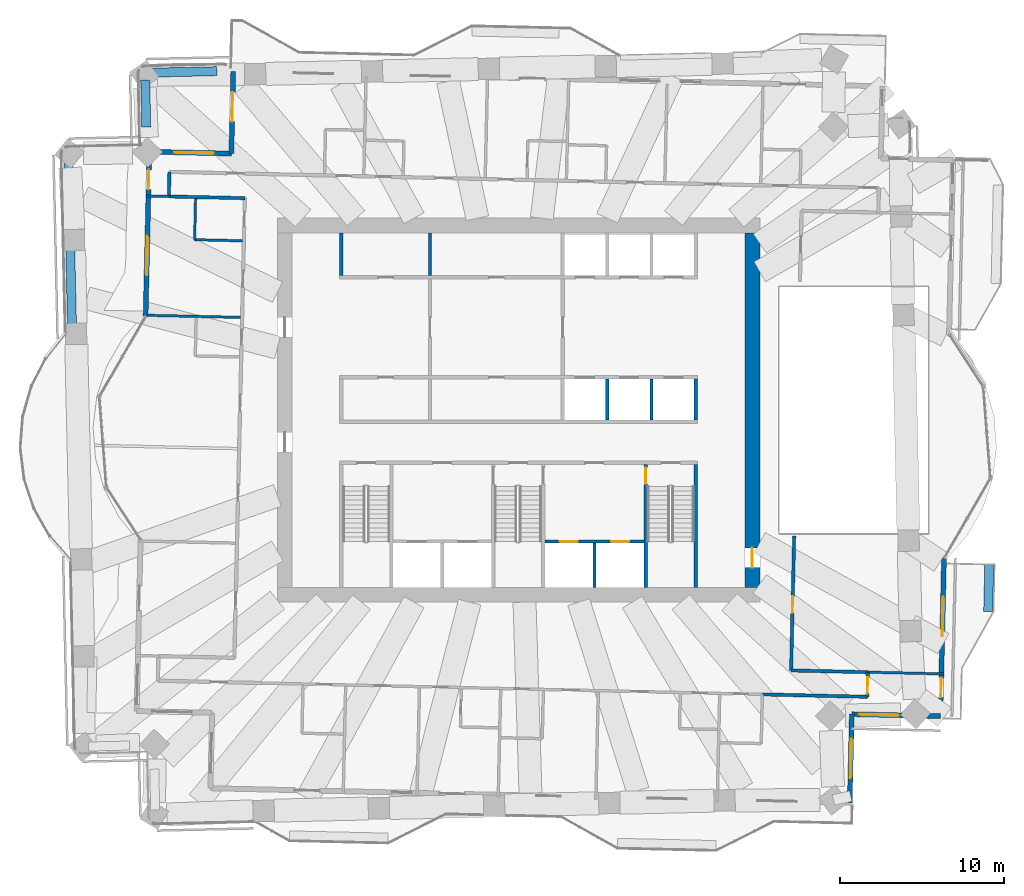
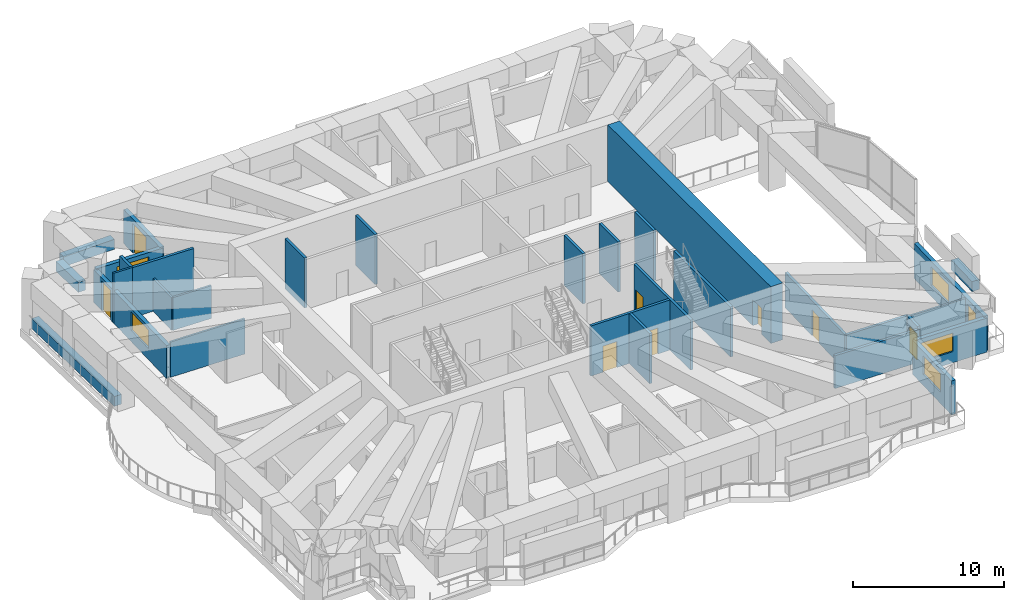
# One storey, part 10 of 17: 31 walls, 9 doors, 5 windows, 14 openings.
"""IFC4 building model written with IfcOpenShell, lengths in metres."""

from ifc_helpers import new_model, si_unit, direction, frame, frame_2d, origin, place, context, subcontext, project, spatial, rectangle, extrude, material, layer, layer_set, type_object, element, fill, save


model = new_model("IFC4")

# Units and contexts
model_context = context("Model", 3, precision=1e-05, world=origin(), true_north=direction((0.0, 1.0)))
body_context = subcontext(model_context, "Body", "Model", "MODEL_VIEW")
ifc_project = project(units=[si_unit("LENGTHUNIT", "METRE"), si_unit("AREAUNIT", "SQUARE_METRE"), si_unit("VOLUMEUNIT", "CUBIC_METRE"), si_unit("PLANEANGLEUNIT", "RADIAN"), si_unit("MASSUNIT", "GRAM", prefix="KILO")], contexts=[model_context])

# Site, building, storey
site_placement = place(None, origin())
site = spatial("IfcSite", under=ifc_project, at=site_placement, CompositionType="ELEMENT")
building_placement = place(site_placement, origin())
building = spatial("IfcBuilding", under=site, at=building_placement, Name="Mangrove Gate Tower", CompositionType="ELEMENT")
storey_placement = place(building_placement, frame((0.0, 0.0, 148.10009765625)))
storey = spatial("IfcBuildingStorey", under=building, at=storey_placement, Name="L37", CompositionType="ELEMENT", Elevation=148.10009765625)

# Walls
ifc_material_1 = material(Name="Concrete C32/40", Category="concrete")
ifc_layer_1 = layer(ifc_material_1, 0.199951171875)
ifc_layer_set_1 = layer_set([ifc_layer_1], Name="Core room wall 200 C32/40")
wall_type_1 = type_object("IfcWallType", Name="Core room wall 200 C32/40", PredefinedType="STANDARD", material=ifc_layer_set_1)
for number, where, z_axis, x_axis, name in (
    (1, (-10.800048828125, 8.199951171875, 0.0), (0.0, 0.0, 1.0), (0.0, 1.0, 0.0), "WALL-L37-CORE-25"),
    (2, (-5.39990234375, 8.199951171875, 0.0), (0.0, 0.0, 1.0), (0.0, 1.0, 0.0), "WALL-L37-CORE-26"),
):
    element("IfcWall", number, at=place(storey_placement, frame(where, z_axis=z_axis, x_axis=x_axis)), inside=storey, type_object=wall_type_1, Name=name, PredefinedType="STANDARD", context=body_context, shape_type="SweptSolid", body=[
        extrude(rectangle(XDim=2.60009765625, YDim=0.199951171875, at=frame_2d((1.300048828125, 0.0))), origin(), (0.0, 0.0, 1.0), 4.0498046875),
    ])

# Wall, openings, doors
ifc_material_2 = material(Name="Concrete C60/75", Category="concrete")
ifc_layer_2 = layer(ifc_material_2, 0.199951171875)
ifc_layer_set_2 = layer_set([ifc_layer_2], Name="Core shaft wall 200 C60/75")
wall_type_2 = type_object("IfcWallType", Name="Core shaft wall 200 C60/75", PredefinedType="SHEAR", material=ifc_layer_set_2)
wall_1_placement = place(storey_placement, frame((1.60009765625, -8.0, 0.0), z_axis=(0.0, 0.0, 1.0), x_axis=(1.0, 0.0, 0.0)))
wall_1 = element("IfcWall", 3, at=wall_1_placement, inside=storey, type_object=wall_type_2, Name="WALL-L37-CORE-17", PredefinedType="SHEAR", context=body_context, shape_type="SweptSolid", body=[
    extrude(rectangle(XDim=6.0498046875, YDim=0.199951171875, at=frame_2d((3.02490234375, 0.0))), origin(), (0.0, 0.0, 1.0), 4.0498046875),
])
opening_1_placement = place(wall_1_placement, frame((0.91259765625, 0.0, 0.0)))
opening_1 = element("IfcOpeningElement", 4, at=opening_1_placement, cuts=wall_1, Name="Opening LD", PredefinedType="OPENING", context=body_context, shape_type="SweptSolid", body=[
    extrude(rectangle(XDim=1.10009765625, YDim=2.10009765625, at=frame_2d((0.550048828125, 1.050048828125))), frame((0.0, 0.10986328125, 0.0), z_axis=(0.0, -1.0, 0.0), x_axis=(1.0, 0.0, 0.0)), (0.0, 0.0, 1.0), 0.219970703125),
])
opening_2_placement = place(wall_1_placement, frame((4.03759765625, 0.0, 0.0)))
opening_2 = element("IfcOpeningElement", 5, at=opening_2_placement, cuts=wall_1, Name="Opening LD", PredefinedType="OPENING", context=body_context, shape_type="SweptSolid", body=[
    extrude(rectangle(XDim=1.10009765625, YDim=2.10009765625, at=frame_2d((0.550048828125, 1.050048828125))), frame((0.0, 0.10986328125, 0.0), z_axis=(0.0, -1.0, 0.0), x_axis=(1.0, 0.0, 0.0)), (0.0, 0.0, 1.0), 0.219970703125),
])
ifc_material_3 = material(Name="Stainless steel 316", Category="steel")
door_type_1 = type_object("IfcDoorType", Name="Lift landing door 1100x2100", OperationType="SLIDING_TO_LEFT", PredefinedType="DOOR", material=ifc_material_3)
door_1_placement = place(opening_1_placement, origin())
door_1 = element("IfcDoor", 6, at=door_1_placement, inside=storey, type_object=door_type_1, Name="Landing door LD FFL1", OperationType="SLIDING_TO_LEFT", OverallHeight=2.10009765625, OverallWidth=1.10009765625, PredefinedType="DOOR", context=body_context, shape_type="SweptSolid", body=[
    extrude(rectangle(XDim=1.10009765625, YDim=2.10009765625, at=frame_2d((0.550048828125, 1.050048828125))), frame((0.0, 0.02490234375, 0.0), z_axis=(0.0, -1.0, 0.0), x_axis=(1.0, 0.0, 0.0)), (0.0, 0.0, 1.0), 0.050048828125),
])
fill(opening_1, door_1)
door_2_placement = place(opening_2_placement, origin())
door_2 = element("IfcDoor", 7, at=door_2_placement, inside=storey, type_object=door_type_1, Name="Landing door LD FFL2", OperationType="SLIDING_TO_LEFT", OverallHeight=2.10009765625, OverallWidth=1.10009765625, PredefinedType="DOOR", context=body_context, shape_type="SweptSolid", body=[
    extrude(rectangle(XDim=1.10009765625, YDim=2.10009765625, at=frame_2d((0.550048828125, 1.050048828125))), frame((0.0, 0.02490234375, 0.0), z_axis=(0.0, -1.0, 0.0), x_axis=(1.0, 0.0, 0.0)), (0.0, 0.0, 1.0), 0.050048828125),
])
fill(opening_2, door_2)

# Walls
wall_2_placement = place(storey_placement, frame((4.625, -10.800048828125, 0.0), z_axis=(0.0, 0.0, 1.0), x_axis=(0.0, 1.0, 0.0)))
element("IfcWall", 8, at=wall_2_placement, inside=storey, type_object=wall_type_2, Name="WALL-L37-CORE-18", PredefinedType="SHEAR", context=body_context, shape_type="SweptSolid", body=[
    extrude(rectangle(XDim=2.699951171875, YDim=0.199951171875, at=frame_2d((1.35009765625, 0.0))), origin(), (0.0, 0.0, 1.0), 4.0498046875),
])
for number, where, z_axis, x_axis, name in (
    (9, (5.39990234375, -0.60009765625, 0.0), (0.0, 0.0, 1.0), (0.0, 1.0, 0.0), "WALL-L37-CORE-22"),
    (10, (8.10009765625, -0.60009765625, 0.0), (0.0, 0.0, 1.0), (0.0, 1.0, 0.0), "WALL-L37-CORE-23"),
    (11, (10.800048828125, -0.60009765625, 0.0), (0.0, 0.0, 1.0), (0.0, 1.0, 0.0), "WALL-L37-CORE-24"),
):
    element("IfcWall", number, at=place(storey_placement, frame(where, z_axis=z_axis, x_axis=x_axis)), inside=storey, type_object=wall_type_2, Name=name, PredefinedType="SHEAR", context=body_context, shape_type="SweptSolid", body=[
        extrude(rectangle(XDim=2.5, YDim=0.199951171875, at=frame_2d((1.25, 0.0))), origin(), (0.0, 0.0, 1.0), 4.0498046875),
    ])

# Wall, opening, door
ifc_material_4 = material(Name="Concrete C60/75", Category="concrete")
ifc_layer_3 = layer(ifc_material_4, 0.199951171875)
ifc_layer_set_3 = layer_set([ifc_layer_3], Name="Core stair wall 200 C60/75")
wall_type_3 = type_object("IfcWallType", Name="Core stair wall 200 C60/75", PredefinedType="SHEAR", material=ifc_layer_set_3)
wall_3_placement = place(storey_placement, frame((7.75, -10.800048828125, 0.0), z_axis=(0.0, 0.0, 1.0), x_axis=(0.0, 1.0, 0.0)))
wall_3 = element("IfcWall", 12, at=wall_3_placement, inside=storey, type_object=wall_type_3, Name="WALL-L37-CORE-13", PredefinedType="SHEAR", context=body_context, shape_type="SweptSolid", body=[
    extrude(rectangle(XDim=7.5, YDim=0.199951171875, at=frame_2d((3.75, 0.0))), origin(), (0.0, 0.0, 1.0), 4.0498046875),
])
opening_3_placement = place(wall_3_placement, frame((6.300048828125, 0.0, 0.0)))
opening_3 = element("IfcOpeningElement", 13, at=opening_3_placement, cuts=wall_3, Name="Opening STD10", PredefinedType="OPENING", context=body_context, shape_type="SweptSolid", body=[
    extrude(rectangle(XDim=1.0, YDim=2.10009765625, at=frame_2d((0.5, 1.050048828125))), frame((0.0, 0.10986328125, 0.0), z_axis=(0.0, -1.0, 0.0), x_axis=(1.0, 0.0, 0.0)), (0.0, 0.0, 1.0), 0.219970703125),
])
ifc_material_5 = material(Name="Fire-rated steel door set", Category="steel")
door_type_2 = type_object("IfcDoorType", Name="Stair door FD60 1000x2100", OperationType="SINGLE_SWING_RIGHT", PredefinedType="DOOR", material=ifc_material_5)
door_3_placement = place(opening_3_placement, origin())
door_3 = element("IfcDoor", 14, at=door_3_placement, inside=storey, type_object=door_type_2, Name="Stair door Stair 3 from fire-fighting lobby", OperationType="SINGLE_SWING_RIGHT", OverallHeight=2.10009765625, OverallWidth=1.0, PredefinedType="DOOR", context=body_context, shape_type="SweptSolid", body=[
    extrude(rectangle(XDim=1.0, YDim=2.10009765625, at=frame_2d((0.5, 1.050048828125))), frame((0.0, 0.02490234375, 0.0), z_axis=(0.0, -1.0, 0.0), x_axis=(1.0, 0.0, 0.0)), (0.0, 0.0, 1.0), 0.050048828125),
])
fill(opening_3, door_3)

# Wall
wall_4_placement = place(storey_placement, frame((10.800048828125, -10.800048828125, 0.0), z_axis=(0.0, 0.0, 1.0), x_axis=(0.0, 1.0, 0.0)))
element("IfcWall", 15, at=wall_4_placement, inside=storey, type_object=wall_type_3, Name="WALL-L37-CORE-14", PredefinedType="SHEAR", context=body_context, shape_type="SweptSolid", body=[
    extrude(rectangle(XDim=7.5, YDim=0.199951171875, at=frame_2d((3.75, 0.0))), origin(), (0.0, 0.0, 1.0), 4.0498046875),
])

# Wall, opening, door
ifc_material_6 = material(Name="Concrete C60/75", Category="concrete")
ifc_layer_4 = layer(ifc_material_6, 0.89990234375)
ifc_layer_set_4 = layer_set([ifc_layer_4], Name="Core wall 900 C60/75")
wall_type_4 = type_object("IfcWallType", Name="Core wall 900 C60/75", PredefinedType="SHEAR", material=ifc_layer_set_4)
wall_5_placement = place(storey_placement, frame((14.25, -10.800048828125, 0.0), z_axis=(0.0, 0.0, 1.0), x_axis=(0.0, 1.0, 0.0)))
wall_5 = element("IfcWall", 16, at=wall_5_placement, inside=storey, type_object=wall_type_4, Name="WALL-L37-CORE-4", PredefinedType="SHEAR", context=body_context, shape_type="SweptSolid", body=[
    extrude(rectangle(XDim=21.60009765625, YDim=0.89990234375, at=frame_2d((10.800048828125, 0.0))), origin(), (0.0, 0.0, 1.0), 4.599853515625),
])
opening_4_placement = place(wall_5_placement, frame((1.199951171875, 0.0, 0.0)))
opening_4 = element("IfcOpeningElement", 17, at=opening_4_placement, cuts=wall_5, Name="Opening CD", PredefinedType="OPENING", context=body_context, shape_type="SweptSolid", body=[
    extrude(rectangle(XDim=1.199951171875, YDim=2.10009765625, at=frame_2d((0.60009765625, 1.050048828125))), frame((0.0, 0.4599609375, 0.0), z_axis=(0.0, -1.0, 0.0), x_axis=(1.0, 0.0, 0.0)), (0.0, 0.0, 1.0), 0.919921875),
])
ifc_material_7 = material(Name="Fire-rated steel door set", Category="steel")
door_type_3 = type_object("IfcDoorType", Name="Core ring door FD60 1200x2100", OperationType="DOUBLE_DOOR_SINGLE_SWING", PredefinedType="DOOR", material=ifc_material_7)
door_4_placement = place(opening_4_placement, origin())
door_4 = element("IfcDoor", 18, at=door_4_placement, inside=storey, type_object=door_type_3, Name="Core ring door E1", OperationType="DOUBLE_DOOR_SINGLE_SWING", OverallHeight=2.10009765625, OverallWidth=1.199951171875, PredefinedType="DOOR", context=body_context, shape_type="SweptSolid", body=[
    extrude(rectangle(XDim=1.199951171875, YDim=2.10009765625, at=frame_2d((0.60009765625, 1.050048828125))), frame((0.0, 0.02490234375, 0.0), z_axis=(0.0, -1.0, 0.0), x_axis=(1.0, 0.0, 0.0)), (0.0, 0.0, 1.0), 0.050048828125),
])
fill(opening_4, door_4)

ifc_material_8 = material(Name="Gypsum board on steel stud, EI 60", Category="steel")
ifc_layer_5 = layer(ifc_material_8, 0.199951171875)
ifc_layer_set_5 = layer_set([ifc_layer_5], Name="Corridor wall EI 60")
wall_type_5 = type_object("IfcWallType", Name="Corridor wall EI 60", PredefinedType="PARTITIONING", material=ifc_layer_set_5)
wall_6_placement = place(storey_placement, frame((21.256103515625, -17.47412109375, 0.0), z_axis=(0.0, 0.0, 1.0), x_axis=(0.022617910375, 0.999744182344, 0.0)))
wall_6 = element("IfcWall", 19, at=wall_6_placement, inside=storey, type_object=wall_type_5, Name="WALL-L37-017", PredefinedType="PARTITIONING", context=body_context, shape_type="SweptSolid", body=[
    extrude(rectangle(XDim=1.50048828125, YDim=0.199951171875, at=frame_2d((0.750244140625, 0.0))), origin(), (0.0, 0.0, 1.0), 2.849853515625),
])
opening_5_placement = place(wall_6_placement, frame((0.199951171875, 0.0, 0.0)))
opening_5 = element("IfcOpeningElement", 20, at=opening_5_placement, cuts=wall_6, Name="Opening AD", PredefinedType="OPENING", context=body_context, shape_type="SweptSolid", body=[
    extrude(rectangle(XDim=1.0, YDim=2.10009765625, at=frame_2d((0.5, 1.050048828125))), frame((0.0, 0.10986328125, 0.0), z_axis=(0.0, -1.0, 0.0), x_axis=(1.0, 0.0, 0.0)), (0.0, 0.0, 1.0), 0.219970703125),
])
ifc_material_9 = material(Name="Timber door leaf", Category="wood")
door_type_4 = type_object("IfcDoorType", Name="Amenity door 1000", OperationType="SINGLE_SWING_LEFT", PredefinedType="DOOR", material=ifc_material_9)
door_5_placement = place(opening_5_placement, origin())
door_5 = element("IfcDoor", 21, at=door_5_placement, inside=storey, type_object=door_type_4, Name="DOOR-L37-LNG-c3a", OperationType="SINGLE_SWING_LEFT", OverallHeight=2.10009765625, OverallWidth=1.0, PredefinedType="DOOR", context=body_context, shape_type="SweptSolid", body=[
    extrude(rectangle(XDim=1.0, YDim=2.10009765625, at=frame_2d((0.5, 1.050048828125))), frame((0.0, 0.02490234375, 0.0), z_axis=(0.0, -1.0, 0.0), x_axis=(1.0, 0.0, 0.0)), (0.0, 0.0, 1.0), 0.050048828125),
])
fill(opening_5, door_5)

# Wall
wall_7_placement = place(storey_placement, frame((14.8798828125, -17.324951171875, 0.0), z_axis=(0.0, 0.0, 1.0), x_axis=(0.999741618182, -0.022730967319, 0.0)))
element("IfcWall", 22, at=wall_7_placement, inside=storey, type_object=wall_type_5, Name="WALL-L37-020", PredefinedType="PARTITIONING", context=body_context, shape_type="SweptSolid", body=[
    extrude(rectangle(XDim=6.3798828125, YDim=0.199951171875, at=frame_2d((3.18994140625, 0.0))), origin(), (0.0, 0.0, 1.0), 2.64990234375),
])

# Wall, opening, door
wall_8_placement = place(storey_placement, frame((16.611083984375, -15.867919921875, 0.0), z_axis=(0.0, 0.0, 1.0), x_axis=(0.022698399288, 0.999742358145, 0.0)))
wall_8 = element("IfcWall", 23, at=wall_8_placement, inside=storey, type_object=wall_type_5, Name="WALL-L37-022", PredefinedType="PARTITIONING", context=body_context, shape_type="SweptSolid", body=[
    extrude(rectangle(XDim=8.196044921875, YDim=0.199951171875, at=frame_2d((4.09814453125, 0.0))), origin(), (0.0, 0.0, 1.0), 2.849853515625),
])
opening_6_placement = place(wall_8_placement, frame((3.512939453125, 0.0, 0.0)))
opening_6 = element("IfcOpeningElement", 24, at=opening_6_placement, cuts=wall_8, Name="Opening AD", PredefinedType="OPENING", context=body_context, shape_type="SweptSolid", body=[
    extrude(rectangle(XDim=1.0, YDim=2.10009765625, at=frame_2d((0.5, 1.050048828125))), frame((0.0, 0.10986328125, 0.0), z_axis=(0.0, -1.0, 0.0), x_axis=(1.0, 0.0, 0.0)), (0.0, 0.0, 1.0), 0.219970703125),
])
door_6_placement = place(opening_6_placement, origin())
door_6 = element("IfcDoor", 25, at=door_6_placement, inside=storey, type_object=door_type_4, Name="DOOR-L37-LNG-c3b", OperationType="SINGLE_SWING_RIGHT", OverallHeight=2.10009765625, OverallWidth=1.0, PredefinedType="DOOR", context=body_context, shape_type="SweptSolid", body=[
    extrude(rectangle(XDim=1.0, YDim=2.10009765625, at=frame_2d((0.5, 1.050048828125))), frame((0.0, 0.02490234375, 0.0), z_axis=(0.0, -1.0, 0.0), x_axis=(1.0, 0.0, 0.0)), (0.0, 0.0, 1.0), 0.050048828125),
])
fill(opening_6, door_6)

# Walls
wall_9_placement = place(storey_placement, frame((16.612060546875, -15.864013671875, 0.0), z_axis=(0.0, 0.0, 1.0), x_axis=(0.999743797347, -0.022634921386, 0.0)))
element("IfcWall", 26, at=wall_9_placement, inside=storey, type_object=wall_type_5, Name="WALL-L37-025", PredefinedType="PARTITIONING", context=body_context, shape_type="SweptSolid", body=[
    extrude(rectangle(XDim=4.68115234375, YDim=0.199951171875, at=frame_2d((2.340576171875, 0.0))), origin(), (0.0, 0.0, 1.0), 2.849853515625),
])
wall_10_placement = place(storey_placement, frame((-21.31298828125, 13.02392578125, 0.0), z_axis=(0.0, 0.0, 1.0), x_axis=(0.999738699021, -0.022858995594, 0.0)))
element("IfcWall", 27, at=wall_10_placement, inside=storey, type_object=wall_type_5, Name="WALL-L37-036", PredefinedType="PARTITIONING", context=body_context, shape_type="SweptSolid", body=[
    extrude(rectangle(XDim=4.63525390625, YDim=0.199951171875, at=frame_2d((2.317626953125, 0.0))), origin(), (0.0, 0.0, 1.0), 4.0498046875),
])
wall_11_placement = place(storey_placement, frame((-21.31298828125, 13.02392578125, 0.0), z_axis=(0.0, 0.0, 1.0), x_axis=(0.022632637625, 0.99974384905, 0.0)))
element("IfcWall", 28, at=wall_11_placement, inside=storey, type_object=wall_type_5, Name="WALL-L37-037", PredefinedType="PARTITIONING", context=body_context, shape_type="SweptSolid", body=[
    extrude(rectangle(XDim=1.49951171875, YDim=0.199951171875, at=frame_2d((0.749755859375, 0.0))), origin(), (0.0, 0.0, 1.0), 4.0498046875),
])

# Wall, openings, door, window
ifc_material_10 = material(Name="Limestone", Category="masonry")
ifc_layer_6 = layer(ifc_material_10, 0.0400390625, Name="Limestone cladding")
ifc_material_11 = material(Name="Ventilated air gap")
ifc_layer_7 = layer(ifc_material_11, 0.0400390625, Name="Ventilated cavity")
ifc_material_12 = material(Name="Mineral wool insulation")
ifc_layer_8 = layer(ifc_material_12, 0.06005859375, Name="Insulation")
ifc_material_13 = material(Name="Breather membrane")
ifc_layer_9 = layer(ifc_material_13, 0.001953125, Name="Breather membrane")
ifc_material_14 = material(Name="Concrete C20/25 blockwork", Category="masonry")
ifc_layer_10 = layer(ifc_material_14, 0.14990234375, Name="Blockwork backing wall")
ifc_material_15 = material(Name="Gypsum plaster")
ifc_layer_11 = layer(ifc_material_15, 0.008056640625, Name="Internal plaster")
ifc_layer_set_6 = layer_set([ifc_layer_6, ifc_layer_7, ifc_layer_8, ifc_layer_9, ifc_layer_10, ifc_layer_11], Name="External wall 300 limestone cladding")
wall_type_6 = type_object("IfcWallType", Name="External wall 300 limestone cladding", PredefinedType="SOLIDWALL", material=ifc_layer_set_6)
wall_12_placement = place(storey_placement, frame((25.7099609375, -18.65087890625, 0.0), z_axis=(0.0, 0.0, 1.0), x_axis=(0.02274444447, 0.999741311663, 0.0)))
wall_12 = element("IfcWall", 29, at=wall_12_placement, inside=storey, type_object=wall_type_6, Name="WALL-L37-E0", PredefinedType="SOLIDWALL", context=body_context, shape_type="SweptSolid", body=[
    extrude(rectangle(XDim=9.62841796875, YDim=0.300048828125, at=frame_2d((4.814208984375, 0.0))), origin(), (0.0, 0.0, 1.0), 2.849853515625),
])
opening_7_placement = place(wall_12_placement, frame((1.14404296875, 0.0, 0.0)))
opening_7 = element("IfcOpeningElement", 30, at=opening_7_placement, cuts=wall_12, Name="Opening BD2", PredefinedType="OPENING", context=body_context, shape_type="SweptSolid", body=[
    extrude(rectangle(XDim=1.199951171875, YDim=2.39990234375, at=frame_2d((0.60009765625, 1.199951171875))), frame((0.0, 0.159912109375, 0.0), z_axis=(0.0, -1.0, 0.0), x_axis=(1.0, 0.0, 0.0)), (0.0, 0.0, 1.0), 0.320068359375),
])
opening_8_placement = place(wall_12_placement, frame((4.8759765625, 0.0, 0.89990234375)))
opening_8 = element("IfcOpeningElement", 31, at=opening_8_placement, cuts=wall_12, Name="Opening W2", PredefinedType="OPENING", context=body_context, shape_type="SweptSolid", body=[
    extrude(rectangle(XDim=2.39990234375, YDim=1.5, at=frame_2d((1.199951171875, 0.75))), frame((0.0, 0.159912109375, 0.0), z_axis=(0.0, -1.0, 0.0), x_axis=(1.0, 0.0, 0.0)), (0.0, 0.0, 1.0), 0.320068359375),
])
ifc_material_16 = material(Name="Aluminium frame with laminated clear glass", Category="aluminium")
door_type_5 = type_object("IfcDoorType", Name="Balcony sliding door 1200x2400", OperationType="SLIDING_TO_LEFT", PredefinedType="DOOR", material=ifc_material_16)
door_7_placement = place(opening_7_placement, origin())
door_7 = element("IfcDoor", 32, at=door_7_placement, inside=storey, type_object=door_type_5, Name="DOOR-L37-E0-1", OperationType="SLIDING_TO_LEFT", OverallHeight=2.39990234375, OverallWidth=1.199951171875, PredefinedType="DOOR", context=body_context, shape_type="SweptSolid", body=[
    extrude(rectangle(XDim=1.199951171875, YDim=2.39990234375, at=frame_2d((0.60009765625, 1.199951171875))), frame((0.0, 0.02490234375, 0.0), z_axis=(0.0, -1.0, 0.0), x_axis=(1.0, 0.0, 0.0)), (0.0, 0.0, 1.0), 0.050048828125),
])
fill(opening_7, door_7)
ifc_material_17 = material(Name="Aluminium frame with double-glazed low-e glass", Category="aluminium")
window_type = type_object("IfcWindowType", Name="Corner room window 2400x1500", PartitioningType="DOUBLE_PANEL_VERTICAL", PredefinedType="WINDOW", material=ifc_material_17)
window_1_placement = place(opening_8_placement, origin())
window_1 = element("IfcWindow", 33, at=window_1_placement, inside=storey, type_object=window_type, Name="WIN-L37-E0-2", OverallHeight=1.5, OverallWidth=2.39990234375, PartitioningType="DOUBLE_PANEL_VERTICAL", PredefinedType="WINDOW", context=body_context, shape_type="SweptSolid", body=[
    extrude(rectangle(XDim=2.39990234375, YDim=1.5, at=frame_2d((1.199951171875, 0.75))), frame((0.0, 0.030029296875, 0.0), z_axis=(0.0, -1.0, 0.0), x_axis=(1.0, 0.0, 0.0)), (0.0, 0.0, 1.0), 0.06005859375),
])
fill(opening_8, window_1)

# Wall, opening, door
wall_13_placement = place(storey_placement, frame((-17.388916015625, 20.636962890625, 0.0), z_axis=(0.0, 0.0, 1.0), x_axis=(-0.022801259434, -0.999740017489, 0.0)))
wall_13 = element("IfcWall", 34, at=wall_13_placement, inside=storey, type_object=wall_type_6, Name="WALL-L37-W6", PredefinedType="SOLIDWALL", context=body_context, shape_type="SweptSolid", body=[
    extrude(rectangle(XDim=5.000244140625, YDim=0.300048828125, at=frame_2d((2.5, 0.0))), origin(), (0.0, 0.0, 1.0), 2.75),
])
opening_9_placement = place(wall_13_placement, frame((1.25, 0.0, 0.0)))
opening_9 = element("IfcOpeningElement", 35, at=opening_9_placement, cuts=wall_13, Name="Opening TD1", PredefinedType="OPENING", context=body_context, shape_type="SweptSolid", body=[
    extrude(rectangle(XDim=1.800048828125, YDim=2.39990234375, at=frame_2d((0.89990234375, 1.199951171875))), frame((0.0, 0.159912109375, 0.0), z_axis=(0.0, -1.0, 0.0), x_axis=(1.0, 0.0, 0.0)), (0.0, 0.0, 1.0), 0.320068359375),
])
ifc_material_18 = material(Name="Aluminium frame with laminated clear glass", Category="aluminium")
door_type_6 = type_object("IfcDoorType", Name="Terrace door 1800x2400", OperationType="DOUBLE_DOOR_SINGLE_SWING", PredefinedType="DOOR", material=ifc_material_18)
door_8_placement = place(opening_9_placement, origin())
door_8 = element("IfcDoor", 36, at=door_8_placement, inside=storey, type_object=door_type_6, Name="DOOR-L37-W6-1", OperationType="DOUBLE_DOOR_SINGLE_SWING", OverallHeight=2.39990234375, OverallWidth=1.800048828125, PredefinedType="DOOR", context=body_context, shape_type="SweptSolid", body=[
    extrude(rectangle(XDim=1.800048828125, YDim=2.39990234375, at=frame_2d((0.89990234375, 1.199951171875))), frame((0.0, 0.02490234375, 0.0), z_axis=(0.0, -1.0, 0.0), x_axis=(1.0, 0.0, 0.0)), (0.0, 0.0, 1.0), 0.050048828125),
])
fill(opening_9, door_8)

# Wall, opening, window
wall_14_placement = place(storey_placement, frame((-17.5029296875, 15.637939453125, 0.0), z_axis=(0.0, 0.0, 1.0), x_axis=(-0.999744350543, 0.022610474516, 0.0)))
wall_14 = element("IfcWall", 37, at=wall_14_placement, inside=storey, type_object=wall_type_6, Name="WALL-L37-N7", PredefinedType="SOLIDWALL", context=body_context, shape_type="SweptSolid", body=[
    extrude(rectangle(XDim=4.999267578125, YDim=0.300048828125, at=frame_2d((2.49951171875, 0.0))), origin(), (0.0, 0.0, 1.0), 2.75),
])
opening_10_placement = place(wall_14_placement, frame((1.071044921875, 0.0, 0.89990234375)))
opening_10 = element("IfcOpeningElement", 38, at=opening_10_placement, cuts=wall_14, Name="Opening W2", PredefinedType="OPENING", context=body_context, shape_type="SweptSolid", body=[
    extrude(rectangle(XDim=2.39990234375, YDim=1.5, at=frame_2d((1.199951171875, 0.75))), frame((0.0, 0.159912109375, 0.0), z_axis=(0.0, -1.0, 0.0), x_axis=(1.0, 0.0, 0.0)), (0.0, 0.0, 1.0), 0.320068359375),
])
window_2_placement = place(opening_10_placement, origin())
window_2 = element("IfcWindow", 39, at=window_2_placement, inside=storey, type_object=window_type, Name="WIN-L37-N7-1", OverallHeight=1.5, OverallWidth=2.39990234375, PartitioningType="DOUBLE_PANEL_VERTICAL", PredefinedType="WINDOW", context=body_context, shape_type="SweptSolid", body=[
    extrude(rectangle(XDim=2.39990234375, YDim=1.5, at=frame_2d((1.199951171875, 0.75))), frame((0.0, 0.030029296875, 0.0), z_axis=(0.0, -1.0, 0.0), x_axis=(1.0, 0.0, 0.0)), (0.0, 0.0, 1.0), 0.06005859375),
])
fill(opening_10, window_2)

# Wall, openings, door, window
wall_15_placement = place(storey_placement, frame((-22.5009765625, 15.7509765625, 0.0), z_axis=(0.0, 0.0, 1.0), x_axis=(-0.022737995473, -0.999741458359, 0.0)))
wall_15 = element("IfcWall", 40, at=wall_15_placement, inside=storey, type_object=wall_type_6, Name="WALL-L37-W8", PredefinedType="SOLIDWALL", context=body_context, shape_type="SweptSolid", body=[
    extrude(rectangle(XDim=10.028564453125, YDim=0.300048828125, at=frame_2d((5.01416015625, 0.0))), origin(), (0.0, 0.0, 1.0), 2.64990234375),
])
opening_11_placement = place(wall_15_placement, frame((1.10205078125, 0.0, 0.0)))
opening_11 = element("IfcOpeningElement", 41, at=opening_11_placement, cuts=wall_15, Name="Opening BD2", PredefinedType="OPENING", context=body_context, shape_type="SweptSolid", body=[
    extrude(rectangle(XDim=1.199951171875, YDim=2.39990234375, at=frame_2d((0.60009765625, 1.199951171875))), frame((0.0, 0.159912109375, 0.0), z_axis=(0.0, -1.0, 0.0), x_axis=(1.0, 0.0, 0.0)), (0.0, 0.0, 1.0), 0.320068359375),
])
opening_12_placement = place(wall_15_placement, frame((5.137939453125, 0.0, 0.89990234375)))
opening_12 = element("IfcOpeningElement", 42, at=opening_12_placement, cuts=wall_15, Name="Opening W2", PredefinedType="OPENING", context=body_context, shape_type="SweptSolid", body=[
    extrude(rectangle(XDim=2.39990234375, YDim=1.5, at=frame_2d((1.199951171875, 0.75))), frame((0.0, 0.159912109375, 0.0), z_axis=(0.0, -1.0, 0.0), x_axis=(1.0, 0.0, 0.0)), (0.0, 0.0, 1.0), 0.320068359375),
])
door_9_placement = place(opening_11_placement, origin())
door_9 = element("IfcDoor", 43, at=door_9_placement, inside=storey, type_object=door_type_5, Name="DOOR-L37-W8-1", OperationType="SLIDING_TO_LEFT", OverallHeight=2.39990234375, OverallWidth=1.199951171875, PredefinedType="DOOR", context=body_context, shape_type="SweptSolid", body=[
    extrude(rectangle(XDim=1.199951171875, YDim=2.39990234375, at=frame_2d((0.60009765625, 1.199951171875))), frame((0.0, 0.02490234375, 0.0), z_axis=(0.0, -1.0, 0.0), x_axis=(1.0, 0.0, 0.0)), (0.0, 0.0, 1.0), 0.050048828125),
])
fill(opening_11, door_9)
window_3_placement = place(opening_12_placement, origin())
window_3 = element("IfcWindow", 44, at=window_3_placement, inside=storey, type_object=window_type, Name="WIN-L37-W8-2", OverallHeight=1.5, OverallWidth=2.39990234375, PartitioningType="DOUBLE_PANEL_VERTICAL", PredefinedType="WINDOW", context=body_context, shape_type="SweptSolid", body=[
    extrude(rectangle(XDim=2.39990234375, YDim=1.5, at=frame_2d((1.199951171875, 0.75))), frame((0.0, 0.030029296875, 0.0), z_axis=(0.0, -1.0, 0.0), x_axis=(1.0, 0.0, 0.0)), (0.0, 0.0, 1.0), 0.06005859375),
])
fill(opening_12, window_3)

# Wall, opening, window
wall_16_placement = place(storey_placement, frame((20.18896484375, -23.927001953125, 0.0), z_axis=(0.0, 0.0, 1.0), x_axis=(0.022789195272, 0.999740292565, 0.0)))
wall_16 = element("IfcWall", 45, at=wall_16_placement, inside=storey, type_object=wall_type_6, Name="WALL-L37-E14", PredefinedType="SOLIDWALL", context=body_context, shape_type="SweptSolid", body=[
    extrude(rectangle(XDim=5.3994140625, YDim=0.300048828125, at=frame_2d((2.69970703125, 0.0))), origin(), (0.0, 0.0, 1.0), 2.75),
])
opening_13_placement = place(wall_16_placement, frame((1.506103515625, 0.0, 0.89990234375)))
opening_13 = element("IfcOpeningElement", 46, at=opening_13_placement, cuts=wall_16, Name="Opening W2", PredefinedType="OPENING", context=body_context, shape_type="SweptSolid", body=[
    extrude(rectangle(XDim=2.39990234375, YDim=1.5, at=frame_2d((1.199951171875, 0.75))), frame((0.0, 0.159912109375, 0.0), z_axis=(0.0, -1.0, 0.0), x_axis=(1.0, 0.0, 0.0)), (0.0, 0.0, 1.0), 0.320068359375),
])
window_4_placement = place(opening_13_placement, origin())
window_4 = element("IfcWindow", 47, at=window_4_placement, inside=storey, type_object=window_type, Name="WIN-L37-E14-1", OverallHeight=1.5, OverallWidth=2.39990234375, PartitioningType="DOUBLE_PANEL_VERTICAL", PredefinedType="WINDOW", context=body_context, shape_type="SweptSolid", body=[
    extrude(rectangle(XDim=2.39990234375, YDim=1.5, at=frame_2d((1.199951171875, 0.75))), frame((0.0, 0.030029296875, 0.0), z_axis=(0.0, -1.0, 0.0), x_axis=(1.0, 0.0, 0.0)), (0.0, 0.0, 1.0), 0.06005859375),
])
fill(opening_13, window_4)

wall_17_placement = place(storey_placement, frame((20.31201171875, -18.529052734375, 0.0), z_axis=(0.0, 0.0, 1.0), x_axis=(0.999745417973, -0.02256322766, 0.0)))
wall_17 = element("IfcWall", 48, at=wall_17_placement, inside=storey, type_object=wall_type_6, Name="WALL-L37-S15", PredefinedType="SOLIDWALL", context=body_context, shape_type="SweptSolid", body=[
    extrude(rectangle(XDim=5.3994140625, YDim=0.300048828125, at=frame_2d((2.69970703125, 0.0))), origin(), (0.0, 0.0, 1.0), 2.75),
])
opening_14_placement = place(wall_17_placement, frame((0.4541015625, 0.0, 0.89990234375)))
opening_14 = element("IfcOpeningElement", 49, at=opening_14_placement, cuts=wall_17, Name="Opening W2", PredefinedType="OPENING", context=body_context, shape_type="SweptSolid", body=[
    extrude(rectangle(XDim=2.39990234375, YDim=1.5, at=frame_2d((1.199951171875, 0.75))), frame((0.0, 0.159912109375, 0.0), z_axis=(0.0, -1.0, 0.0), x_axis=(1.0, 0.0, 0.0)), (0.0, 0.0, 1.0), 0.320068359375),
])
window_5_placement = place(opening_14_placement, origin())
window_5 = element("IfcWindow", 50, at=window_5_placement, inside=storey, type_object=window_type, Name="WIN-L37-S15-1", OverallHeight=1.5, OverallWidth=2.39990234375, PartitioningType="DOUBLE_PANEL_VERTICAL", PredefinedType="WINDOW", context=body_context, shape_type="SweptSolid", body=[
    extrude(rectangle(XDim=2.39990234375, YDim=1.5, at=frame_2d((1.199951171875, 0.75))), frame((0.0, 0.030029296875, 0.0), z_axis=(0.0, -1.0, 0.0), x_axis=(1.0, 0.0, 0.0)), (0.0, 0.0, 1.0), 0.06005859375),
])
fill(opening_14, window_5)

# Walls
ifc_material_19 = material(Name="Gypsum board on steel stud, EI 60", Category="steel")
ifc_layer_12 = layer(ifc_material_19, 0.14990234375)
ifc_layer_set_7 = layer_set([ifc_layer_12], Name="Party wall 150 EI 60")
wall_type_7 = type_object("IfcWallType", Name="Party wall 150 EI 60", PredefinedType="PARTITIONING", material=ifc_layer_set_7)
wall_18_placement = place(storey_placement, frame((21.2919921875, -15.969970703125, 0.0), z_axis=(0.0, 0.0, 1.0), x_axis=(0.999742706282, -0.022683060558, 0.0)))
element("IfcWall", 51, at=wall_18_placement, inside=storey, type_object=wall_type_7, Name="WALL-L37-026", PredefinedType="PARTITIONING", context=body_context, shape_type="SweptSolid", body=[
    extrude(rectangle(XDim=4.628173828125, YDim=0.14990234375, at=frame_2d((2.31396484375, 0.0))), origin(), (0.0, 0.0, 1.0), 2.75),
])
wall_19_placement = place(storey_placement, frame((-22.577880859375, 5.780029296875, 0.0), z_axis=(0.0, 0.0, 1.0), x_axis=(0.999746200787, -0.022528515532, 0.0)))
element("IfcWall", 52, at=wall_19_placement, inside=storey, type_object=wall_type_7, Name="WALL-L37-031", PredefinedType="PARTITIONING", context=body_context, shape_type="SweptSolid", body=[
    extrude(rectangle(XDim=5.63525390625, YDim=0.14990234375, at=frame_2d((2.817626953125, 0.0))), origin(), (0.0, 0.0, 1.0), 2.849853515625),
])
wall_20_placement = place(storey_placement, frame((-19.741943359375, 10.386962890625, 0.0), z_axis=(0.0, 0.0, 1.0), x_axis=(0.022357691225, 0.99975003558, 0.0)))
element("IfcWall", 53, at=wall_20_placement, inside=storey, type_object=wall_type_7, Name="WALL-L37-033", PredefinedType="PARTITIONING", context=body_context, shape_type="SweptSolid", body=[
    extrude(rectangle(XDim=2.500732421875, YDim=0.14990234375, at=frame_2d((1.25048828125, 0.0))), origin(), (0.0, 0.0, 1.0), 2.64990234375),
])
wall_21_placement = place(storey_placement, frame((-19.737060546875, 10.386962890625, 0.0), z_axis=(0.0, 0.0, 1.0), x_axis=(0.999741618182, -0.022730967319, 0.0)))
element("IfcWall", 54, at=wall_21_placement, inside=storey, type_object=wall_type_7, Name="WALL-L37-034", PredefinedType="PARTITIONING", context=body_context, shape_type="SweptSolid", body=[
    extrude(rectangle(XDim=2.89990234375, YDim=0.14990234375, at=frame_2d((1.449951171875, 0.0))), origin(), (0.0, 0.0, 1.0), 2.64990234375),
])
wall_22_placement = place(storey_placement, frame((-22.712890625, 13.054931640625, 0.0), z_axis=(0.0, 0.0, 1.0), x_axis=(0.999756172383, -0.022081571112, 0.0)))
element("IfcWall", 55, at=wall_22_placement, inside=storey, type_object=wall_type_7, Name="WALL-L37-035", PredefinedType="PARTITIONING", context=body_context, shape_type="SweptSolid", body=[
    extrude(rectangle(XDim=1.404052734375, YDim=0.14990234375, at=frame_2d((0.7021484375, 0.0))), origin(), (0.0, 0.0, 1.0), 4.0498046875),
])
ifc_material_20 = material(Name="Concrete C32/40", Category="concrete")
ifc_layer_13 = layer(ifc_material_20, 0.199951171875, Name="Planter trough wall")
ifc_material_21 = material(Name="Bituminous waterproofing membrane")
ifc_layer_14 = layer(ifc_material_21, 0.0048828125, Name="Waterproofing")
ifc_material_22 = material(Name="Drainage board and gravel")
ifc_layer_15 = layer(ifc_material_22, 0.044921875, Name="Drainage layer")
ifc_material_23 = material(Name="Planting soil")
ifc_layer_16 = layer(ifc_material_23, 0.300048828125, Name="Growing medium")
ifc_layer_set_8 = layer_set([ifc_layer_13, ifc_layer_14, ifc_layer_15, ifc_layer_16], Name="Planter wall 550 C32/40")
wall_type_8 = type_object("IfcWallType", Name="Planter wall 550 C32/40", PredefinedType="USERDEFINED", material=ifc_layer_set_8)
wall_23_placement = place(storey_placement, frame((28.62109375, -12.26611328125, 0.0), z_axis=(0.0, 0.0, 1.0), x_axis=(0.022590224177, 0.999744808324, 0.0)))
element("IfcWall", 56, at=wall_23_placement, inside=storey, type_object=wall_type_8, Name="PLANTER L37 E0.1", ObjectType="PLANTER", PredefinedType="USERDEFINED", context=body_context, shape_type="SweptSolid", body=[
    extrude(rectangle(XDim=2.874755859375, YDim=0.550048828125, at=frame_2d((1.4375, 0.0))), origin(), (0.0, 0.0, 1.0), 0.7998046875),
])
wall_24_placement = place(storey_placement, frame((-27.20703125, 4.657958984375, 0.0), z_axis=(0.0, 0.0, 1.0), x_axis=(-0.022627949603, 0.999743955169, 0.0)))
element("IfcWall", 57, at=wall_24_placement, inside=storey, type_object=wall_type_8, Name="PLANTER L37 T3.1", ObjectType="PLANTER", PredefinedType="USERDEFINED", context=body_context, shape_type="SweptSolid", body=[
    extrude(rectangle(XDim=10.562744140625, YDim=0.550048828125, at=frame_2d((5.28125, 0.0))), origin(), (0.0, 0.0, 1.0), 0.7998046875),
])
wall_25_placement = place(storey_placement, frame((-22.69091796875, 17.2509765625, 0.0), z_axis=(0.0, 0.0, 1.0), x_axis=(-0.022667408064, 0.999743061297, 0.0)))
element("IfcWall", 58, at=wall_25_placement, inside=storey, type_object=wall_type_8, Name="PLANTER L37 T3.3.6", ObjectType="PLANTER", PredefinedType="USERDEFINED", context=body_context, shape_type="SweptSolid", body=[
    extrude(rectangle(XDim=2.875732421875, YDim=0.550048828125, at=frame_2d((1.43798828125, 0.0))), origin(), (0.0, 0.0, 1.0), 0.7998046875),
])
wall_26_placement = place(storey_placement, frame((-22.3310546875, 20.570068359375, 0.0), z_axis=(0.0, 0.0, 1.0), x_axis=(0.999739976787, 0.022803043973, 0.0)))
element("IfcWall", 59, at=wall_26_placement, inside=storey, type_object=wall_type_8, Name="PLANTER L37 T3.4.6", ObjectType="PLANTER", PredefinedType="USERDEFINED", context=body_context, shape_type="SweptSolid", body=[
    extrude(rectangle(XDim=3.93994140625, YDim=0.550048828125, at=frame_2d((1.969970703125, 0.0))), origin(), (0.0, 0.0, 1.0), 0.7998046875),
])

save(model, "model.ifc")
